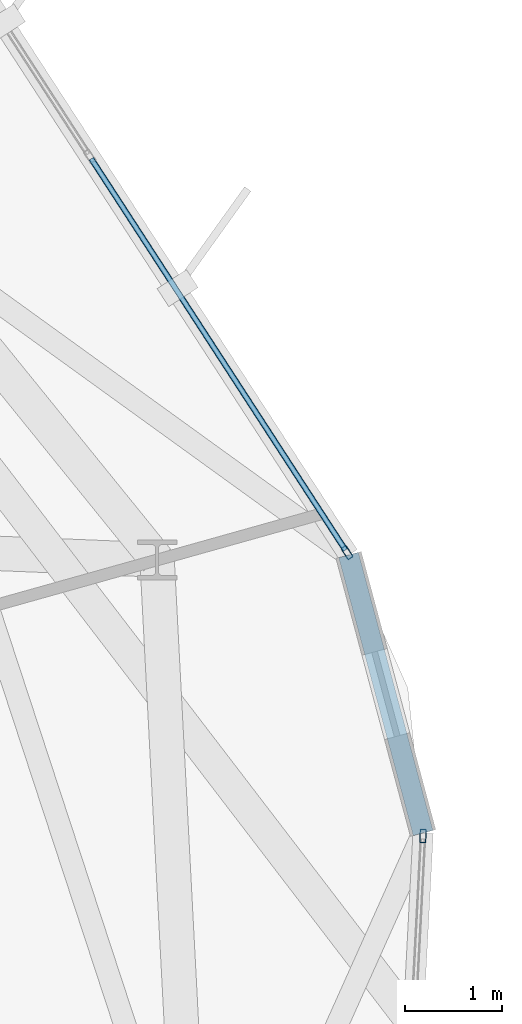
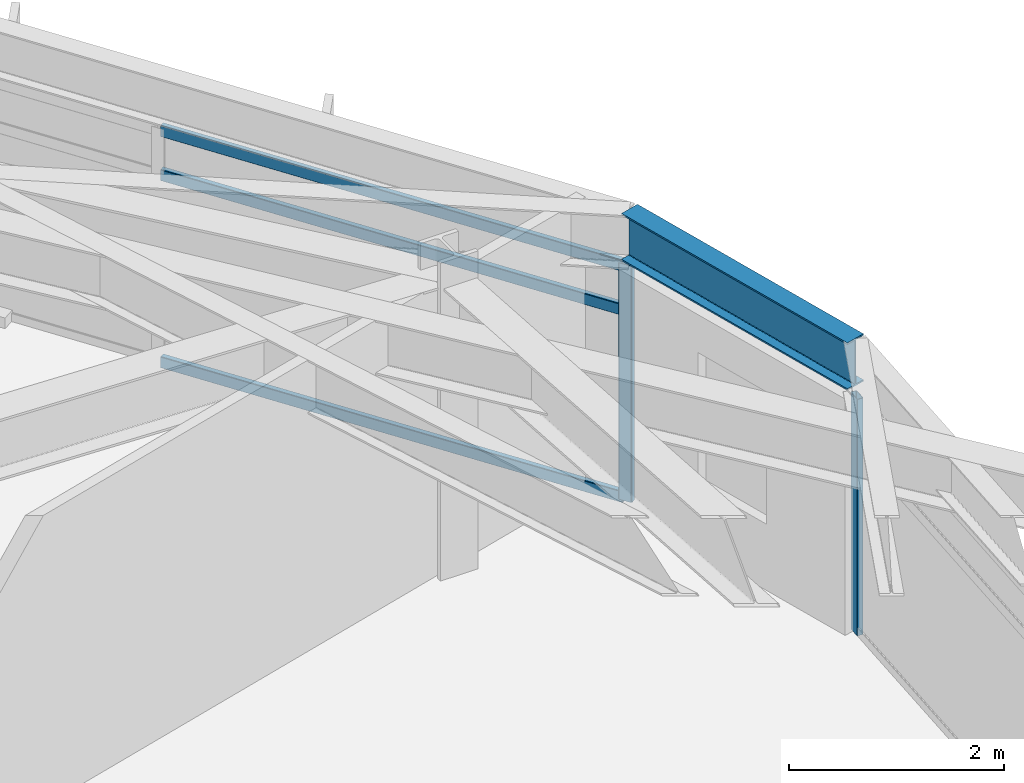
# One storey, part 16 of 29: 5 members, 1 beam, 2 elements without a shape of their own.
"""IFC4 building model written with IfcOpenShell, lengths in metres."""

from ifc_helpers import new_model, si_unit, direction, frame, origin, origin_2d, place, context, subcontext, project, spatial, hollow_rectangle, i_section, extrude, material, layer, layer_set, material_profile, profile_set, type_object, element, aggregate, save


model = new_model("IFC4")

# Units and contexts
model_context = context("Model", 3, precision=1e-05, world=origin(), true_north=direction((0.0, 1.0)))
body_context = subcontext(model_context, "Body", "Model", "MODEL_VIEW")
ifc_project = project(units=[si_unit("LENGTHUNIT", "METRE"), si_unit("AREAUNIT", "SQUARE_METRE"), si_unit("VOLUMEUNIT", "CUBIC_METRE"), si_unit("PLANEANGLEUNIT", "RADIAN"), si_unit("MASSUNIT", "GRAM", prefix="KILO")], contexts=[model_context])

# Site, building, storey
site_placement = place(None, origin())
site = spatial("IfcSite", under=ifc_project, at=site_placement, CompositionType="ELEMENT")
building_placement = place(site_placement, origin())
building = spatial("IfcBuilding", under=site, at=building_placement, Name="Soratama Intermodal Tower", CompositionType="ELEMENT")
storey_placement = place(building_placement, frame((0.0, 0.0, 219.39990234375)))
storey = spatial("IfcBuildingStorey", under=building, at=storey_placement, Name="L55", CompositionType="ELEMENT", Elevation=219.39990234375)

# Beam
ifc_material_1 = material(Name="Structural steel ASTM A992 Grade 50", Category="steel")
ifc_material_profile_1 = material_profile(ifc_material_1, i_section(OverallWidth=0.2099609375, OverallDepth=0.537109375, WebThickness=0.010986328125, FlangeThickness=0.017333984375, FilletRadius=0.012939453125, at=origin_2d()), Name="W21X68")
ifc_profile_set_1 = profile_set([ifc_material_profile_1], Name="Structural steel ASTM A992 Grade 50")
beam_type = type_object("IfcBeamType", Name="BM-SPN-W21X68", PredefinedType="SPANDREL", material=ifc_profile_set_1)
beam_placement = place(storey_placement, frame((65.10595703125, 28.85205078125, 3.031494140625), z_axis=(-0.258943161201, 0.965892560934, 0.0), x_axis=(-0.965892560934, -0.258943161201, 0.0)))
element("IfcBeam", 1, at=beam_placement, inside=storey, type_object=beam_type, Name="BS-L55-CRN09", PredefinedType="SPANDREL", context=body_context, shape_type="SweptSolid", body=[
    extrude(i_section(OverallWidth=0.2099609375, OverallDepth=0.537109375, WebThickness=0.010986328125, FlangeThickness=0.017333984375, FilletRadius=0.012939453125, at=origin_2d()), origin(), (0.0, 0.0, 1.0), 2.966064453125),
])

# Curtain wall, member
ifc_material_2 = material(Name="Double-glazed aluminium curtain wall", Category="aluminium")
ifc_layer = layer(ifc_material_2, 0.159912109375)
ifc_layer_set = layer_set([ifc_layer], Name="Double-glazed aluminium curtain wall")
curtain_wall_type = type_object("IfcCurtainWallType", Name="CW-SYS-5", PredefinedType="NOTDEFINED", material=ifc_layer_set)
curtain_wall_1_placement = place(storey_placement, origin())
curtain_wall_1 = element("IfcCurtainWall", 2, at=curtain_wall_1_placement, inside=storey, type_object=curtain_wall_type, Name="L55 Faceted Curtain Wall F09", PredefinedType="NOTDEFINED")
ifc_material_3 = material(Name="Anodised aluminium AA 6063-T6", Category="aluminium")
ifc_material_profile_2 = material_profile(ifc_material_3, hollow_rectangle(XDim=0.06494140625, YDim=0.139892578125, WallThickness=0.0048828125, InnerFilletRadius=0.0048828125, OuterFilletRadius=0.010009765625, at=origin_2d()), Name="CWM140X65X5")
ifc_profile_set_2 = profile_set([ifc_material_profile_2], Name="Anodised aluminium AA 6063-T6")
member_type_1 = type_object("IfcMemberType", Name="MT-CWM-5", PredefinedType="MULLION", material=ifc_profile_set_2)
member_1_placement = place(storey_placement, frame((65.104736328125, 28.82177734375, 0.0), z_axis=(0.0, 0.0, 1.0), x_axis=(-0.998629898503, 0.052329015046, 0.0)))
member_1 = element("IfcMember", 3, at=member_1_placement, type_object=member_type_1, Name="CW-5 mullion 3", PredefinedType="MULLION", context=body_context, shape_type="SweptSolid", body=[
    extrude(hollow_rectangle(XDim=0.06494140625, YDim=0.139892578125, WallThickness=0.0048828125, InnerFilletRadius=0.0048828125, OuterFilletRadius=0.010009765625, at=origin_2d()), origin(), (0.0, 0.0, 1.0), 2.67919921875),
])
aggregate(curtain_wall_1, [member_1])

# Curtain wall, members
curtain_wall_2_placement = place(storey_placement, origin())
curtain_wall_2 = element("IfcCurtainWall", 4, at=curtain_wall_2_placement, inside=storey, type_object=curtain_wall_type, Name="L55 Faceted Curtain Wall F10", PredefinedType="NOTDEFINED")
member_2_placement = place(storey_placement, frame((64.322021484375, 31.742431640625, 0.0), z_axis=(0.0, 0.0, 1.0), x_axis=(-0.838669737789, -0.544640313342, 0.0)))
member_2 = element("IfcMember", 5, at=member_2_placement, type_object=member_type_1, Name="CW-5 mullion 1", PredefinedType="MULLION", context=body_context, shape_type="SweptSolid", body=[
    extrude(hollow_rectangle(XDim=0.06494140625, YDim=0.139892578125, WallThickness=0.0048828125, InnerFilletRadius=0.0048828125, OuterFilletRadius=0.010009765625, at=origin_2d()), origin(), (0.0, 0.0, 1.0), 2.67919921875),
])
ifc_material_4 = material(Name="Anodised aluminium AA 6063-T6", Category="aluminium")
ifc_material_profile_3 = material_profile(ifc_material_4, hollow_rectangle(XDim=0.06005859375, YDim=0.1298828125, WallThickness=0.0048828125, InnerFilletRadius=0.0048828125, OuterFilletRadius=0.010009765625, at=origin_2d()), Name="CWT130X60X5")
ifc_profile_set_3 = profile_set([ifc_material_profile_3], Name="Anodised aluminium AA 6063-T6")
member_type_2 = type_object("IfcMemberType", Name="TT-CWT-2", PredefinedType="USERDEFINED", material=ifc_profile_set_3)
member_3_placement = place(storey_placement, frame((64.3056640625, 31.767578125, 0.030029296875), z_axis=(-0.544654603171, 0.838660457661, 0.0), x_axis=(-0.838660457661, -0.544654603171, 0.0)))
member_3 = element("IfcMember", 6, at=member_3_placement, type_object=member_type_2, Name="CW-5 transom 1.1", ObjectType="TRANSOM", PredefinedType="USERDEFINED", context=body_context, shape_type="SweptSolid", body=[
    extrude(hollow_rectangle(XDim=0.06005859375, YDim=0.1298828125, WallThickness=0.0048828125, InnerFilletRadius=0.0048828125, OuterFilletRadius=0.010009765625, at=origin_2d()), origin(), (0.0, 0.0, 1.0), 4.808837890625),
])
member_4_placement = place(storey_placement, frame((64.3056640625, 31.767578125, 2.150146484375), z_axis=(-0.544654603171, 0.838660457661, 0.0), x_axis=(-0.838660457661, -0.544654603171, 0.0)))
member_4 = element("IfcMember", 7, at=member_4_placement, type_object=member_type_2, Name="CW-5 transom 1.2", ObjectType="TRANSOM", PredefinedType="USERDEFINED", context=body_context, shape_type="SweptSolid", body=[
    extrude(hollow_rectangle(XDim=0.06005859375, YDim=0.1298828125, WallThickness=0.0048828125, InnerFilletRadius=0.0048828125, OuterFilletRadius=0.010009765625, at=origin_2d()), origin(), (0.0, 0.0, 1.0), 4.808837890625),
])
member_5_placement = place(storey_placement, frame((64.3056640625, 31.767578125, 2.649169921875), z_axis=(-0.544654603171, 0.838660457661, 0.0), x_axis=(-0.838660457661, -0.544654603171, 0.0)))
member_5 = element("IfcMember", 8, at=member_5_placement, type_object=member_type_2, Name="CW-5 transom 1.3", ObjectType="TRANSOM", PredefinedType="USERDEFINED", context=body_context, shape_type="SweptSolid", body=[
    extrude(hollow_rectangle(XDim=0.06005859375, YDim=0.1298828125, WallThickness=0.0048828125, InnerFilletRadius=0.0048828125, OuterFilletRadius=0.010009765625, at=origin_2d()), origin(), (0.0, 0.0, 1.0), 4.808837890625),
])
aggregate(curtain_wall_2, [member_2, member_3, member_4, member_5])

save(model, "model.ifc")
